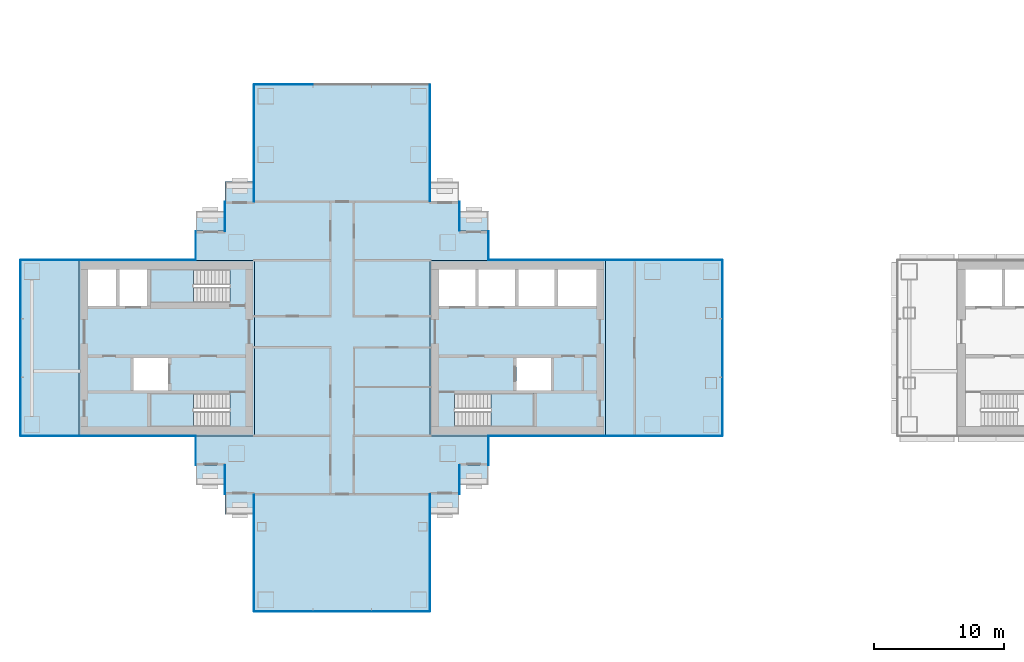
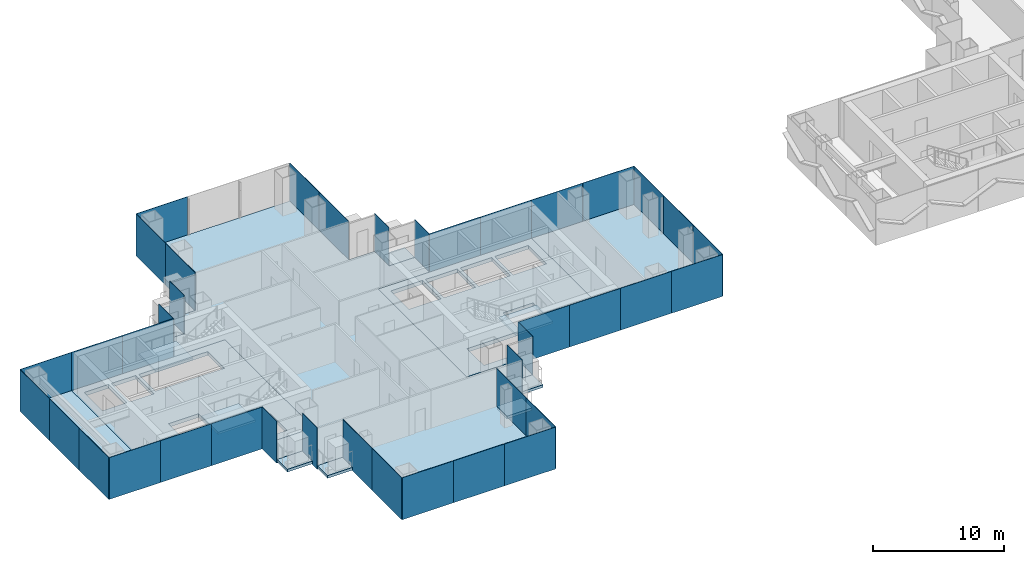
# One storey, part 9 of 20: 40 plates, 15 slabs, 23 elements without a shape of their own.
"""IFC4 building model written with IfcOpenShell, lengths in metres."""

from ifc_helpers import new_model, si_unit, direction, frame, origin, origin_2d, place, context, subcontext, project, spatial, polyline, rectangle, outline, extrude, material, layer, layer_set, type_object, element, aggregate, save


model = new_model("IFC4")

# Units and contexts
model_context = context("Model", 3, precision=1e-05, world=origin(), true_north=direction((0.0, 1.0)))
body_context = subcontext(model_context, "Body", "Model", "MODEL_VIEW")
ifc_project = project(units=[si_unit("LENGTHUNIT", "METRE"), si_unit("AREAUNIT", "SQUARE_METRE"), si_unit("VOLUMEUNIT", "CUBIC_METRE"), si_unit("PLANEANGLEUNIT", "RADIAN"), si_unit("MASSUNIT", "GRAM", prefix="KILO")], contexts=[model_context])

# Site, building, storey
site_placement = place(None, origin())
site = spatial("IfcSite", under=ifc_project, at=site_placement, CompositionType="ELEMENT")
building_placement = place(site_placement, origin())
building = spatial("IfcBuilding", under=site, at=building_placement, Name="Shamsa Quay Exchange Towers", CompositionType="ELEMENT")
storey_placement = place(building_placement, frame((0.0, 0.0, 105.300048828125)))
storey = spatial("IfcBuildingStorey", under=building, at=storey_placement, Name="L24", CompositionType="ELEMENT", Elevation=105.300048828125)

# Slabs
ifc_material_1 = material(Name="Precast concrete C40/50", Category="concrete")
ifc_layer_1 = layer(ifc_material_1, 0.25)
ifc_layer_set_1 = layer_set([ifc_layer_1], Name="BALCONY SLAB 250")
slab_type_1 = type_object("IfcSlabType", Name="BALCONY SLAB 250", PredefinedType="FLOOR", material=ifc_layer_set_1)
slab_1_placement = place(storey_placement, frame((0.0, 0.0, -0.25)))
element("IfcSlab", 1, at=slab_1_placement, inside=storey, type_object=slab_type_1, Name="Balcony T1-PKEN L24", PredefinedType="FLOOR", context=body_context, shape_type="SweptSolid", body=[
    extrude(outline(polyline([(-22.5, 9.0), (-24.7119140625, 9.0), (-24.7119140625, 10.550048828125), (-22.5, 10.550048828125), (-22.5, 9.0)])), origin(), (0.0, 0.0, 1.0), 0.25),
])
slab_2_placement = place(storey_placement, frame((0.0, 0.0, -0.25)))
element("IfcSlab", 2, at=slab_2_placement, inside=storey, type_object=slab_type_1, Name="Balcony T1-PKES L24", PredefinedType="FLOOR", context=body_context, shape_type="SweptSolid", body=[
    extrude(outline(polyline([(-24.7119140625, -9.0), (-22.5, -9.0), (-22.5, -10.550048828125), (-24.7119140625, -10.550048828125), (-24.7119140625, -9.0)])), origin(), (0.0, 0.0, 1.0), 0.25),
])
slab_3_placement = place(storey_placement, frame((0.0, 0.0, -0.25)))
element("IfcSlab", 3, at=slab_3_placement, inside=storey, type_object=slab_type_1, Name="Balcony T1-PKES L24", PredefinedType="FLOOR", context=body_context, shape_type="SweptSolid", body=[
    extrude(outline(polyline([(-26.9619140625, -11.25), (-24.75, -11.25), (-24.75, -12.800048828125), (-26.9619140625, -12.800048828125), (-26.9619140625, -11.25)])), origin(), (0.0, 0.0, 1.0), 0.25),
])
slab_4_placement = place(storey_placement, frame((0.0, 0.0, -0.25)))
element("IfcSlab", 4, at=slab_4_placement, inside=storey, type_object=slab_type_1, Name="Balcony T1-PKWN L24", PredefinedType="FLOOR", context=body_context, shape_type="SweptSolid", body=[
    extrude(outline(polyline([(-40.5380859375, 11.25), (-42.75, 11.25), (-42.75, 12.800048828125), (-40.5380859375, 12.800048828125), (-40.5380859375, 11.25)])), origin(), (0.0, 0.0, 1.0), 0.25),
])
slab_5_placement = place(storey_placement, frame((0.0, 0.0, -0.25)))
element("IfcSlab", 5, at=slab_5_placement, inside=storey, type_object=slab_type_1, Name="Balcony T1-PKWN L24", PredefinedType="FLOOR", context=body_context, shape_type="SweptSolid", body=[
    extrude(outline(polyline([(-42.7880859375, 9.0), (-45.0, 9.0), (-45.0, 10.550048828125), (-42.7880859375, 10.550048828125), (-42.7880859375, 9.0)])), origin(), (0.0, 0.0, 1.0), 0.25),
])
slab_6_placement = place(storey_placement, frame((0.0, 0.0, -0.25)))
element("IfcSlab", 6, at=slab_6_placement, inside=storey, type_object=slab_type_1, Name="Balcony T1-PKWS L24", PredefinedType="FLOOR", context=body_context, shape_type="SweptSolid", body=[
    extrude(outline(polyline([(-45.0, -9.0), (-42.7880859375, -9.0), (-42.7880859375, -10.550048828125), (-45.0, -10.550048828125), (-45.0, -9.0)])), origin(), (0.0, 0.0, 1.0), 0.25),
])
slab_7_placement = place(storey_placement, frame((0.0, 0.0, -0.25)))
element("IfcSlab", 7, at=slab_7_placement, inside=storey, type_object=slab_type_1, Name="Balcony T1-PKWS L24", PredefinedType="FLOOR", context=body_context, shape_type="SweptSolid", body=[
    extrude(outline(polyline([(-42.75, -11.25), (-40.5380859375, -11.25), (-40.5380859375, -12.800048828125), (-42.75, -12.800048828125), (-42.75, -11.25)])), origin(), (0.0, 0.0, 1.0), 0.25),
])
ifc_material_2 = material(Name="Concrete C50/60", Category="concrete")
ifc_layer_2 = layer(ifc_material_2, 0.35009765625)
ifc_layer_set_2 = layer_set([ifc_layer_2], Name="CORE FLOOR 350 C50/60")
slab_type_2 = type_object("IfcSlabType", Name="CORE FLOOR 350 C50/60", PredefinedType="FLOOR", material=ifc_layer_set_2)
slab_8_placement = place(storey_placement, frame((0.0, 0.0, -0.35009765625)))
element("IfcSlab", 8, at=slab_8_placement, inside=storey, type_object=slab_type_2, Name="Core floor T1A", PredefinedType="FLOOR", context=body_context, shape_type="SweptSolid", body=[
    extrude(outline(polyline([(-27.0, -6.75), (-13.5, -6.75), (-13.5, 6.75), (-27.0, 6.75), (-27.0, -6.75)]), holes=[polyline([(-25.099365234375, -6.050048828125), (-25.099365234375, -3.5), (-19.0, -3.5), (-19.0, -6.050048828125), (-25.099365234375, -6.050048828125)]), polyline([(-26.300048828125, 3.25), (-26.300048828125, 6.050048828125), (-23.5, 6.050048828125), (-23.5, 3.25), (-26.300048828125, 3.25)]), polyline([(-23.25, 3.25), (-23.25, 6.050048828125), (-20.449951171875, 6.050048828125), (-20.449951171875, 3.25), (-23.25, 3.25)]), polyline([(-20.199951171875, 3.25), (-20.199951171875, 6.050048828125), (-17.39990234375, 6.050048828125), (-17.39990234375, 3.25), (-20.199951171875, 3.25)]), polyline([(-17.14990234375, 3.25), (-17.14990234375, 6.050048828125), (-14.199951171875, 6.050048828125), (-14.199951171875, 3.25), (-17.14990234375, 3.25)]), polyline([(-20.35009765625, -3.25), (-20.35009765625, -0.75), (-17.699951171875, -0.75), (-17.699951171875, -3.25), (-20.35009765625, -3.25)])]), origin(), (0.0, 0.0, 1.0), 0.35009765625),
])
slab_9_placement = place(storey_placement, frame((0.0, 0.0, -0.35009765625)))
element("IfcSlab", 9, at=slab_9_placement, inside=storey, type_object=slab_type_2, Name="Core floor T1B", PredefinedType="FLOOR", context=body_context, shape_type="SweptSolid", body=[
    extrude(outline(polyline([(-40.5, -6.75), (-40.5, 6.75), (-54.0, 6.75), (-54.0, -6.75), (-40.5, -6.75)]), holes=[polyline([(-42.400634765625, -3.5), (-42.400634765625, -6.050048828125), (-48.5, -6.050048828125), (-48.5, -3.5), (-42.400634765625, -3.5)]), polyline([(-42.400634765625, 6.050048828125), (-42.400634765625, 3.5), (-48.5, 3.5), (-48.5, 6.050048828125), (-42.400634765625, 6.050048828125)]), polyline([(-48.75, 3.25), (-50.89990234375, 3.25), (-50.89990234375, 6.050048828125), (-48.75, 6.050048828125), (-48.75, 3.25)]), polyline([(-51.14990234375, 3.25), (-53.300048828125, 3.25), (-53.300048828125, 6.050048828125), (-51.14990234375, 6.050048828125), (-51.14990234375, 3.25)]), polyline([(-47.14990234375, -3.25), (-49.800048828125, -3.25), (-49.800048828125, -0.75), (-47.14990234375, -0.75), (-47.14990234375, -3.25)])]), origin(), (0.0, 0.0, 1.0), 0.35009765625),
])

# Stair, slab
ifc_material_3 = material(Name="Concrete C40/50", Category="concrete")
stair_type = type_object("IfcStairType", Name="EXIT STAIR 22 RISERS 177 MM", PredefinedType="HALF_TURN_STAIR", material=ifc_material_3)
stair_1_placement = place(storey_placement, origin())
stair_1 = element("IfcStair", 10, at=stair_1_placement, inside=storey, type_object=stair_type, Name="L24 Exit stair ST1", PredefinedType="HALF_TURN_STAIR")
ifc_layer_3 = layer(ifc_material_3, 0.199951171875)
ifc_layer_set_3 = layer_set([ifc_layer_3], Name="CORE STAIR LANDING")
slab_type_3 = type_object("IfcSlabType", Name="CORE STAIR LANDING", PredefinedType="LANDING", material=ifc_layer_set_3)
slab_10_placement = place(storey_placement, frame((0.0, 0.0, 1.75)))
slab_10 = element("IfcSlab", 11, at=slab_10_placement, type_object=slab_type_3, Name="ST1 landing 1", PredefinedType="LANDING", context=body_context, shape_type="SweptSolid", body=[
    extrude(outline(polyline([(-22.300048828125, -6.050048828125), (-19.0, -6.050048828125), (-19.0, -3.5), (-22.300048828125, -3.5), (-22.300048828125, -6.050048828125)])), origin(), (0.0, 0.0, 1.0), 0.199951171875),
])
aggregate(stair_1, [slab_10])

stair_2_placement = place(storey_placement, origin())
stair_2 = element("IfcStair", 12, at=stair_2_placement, inside=storey, type_object=stair_type, Name="L24 Exit stair ST2", PredefinedType="HALF_TURN_STAIR")
slab_11_placement = place(storey_placement, frame((0.0, 0.0, 1.75)))
slab_11 = element("IfcSlab", 13, at=slab_11_placement, type_object=slab_type_3, Name="ST2 landing 1", PredefinedType="LANDING", context=body_context, shape_type="SweptSolid", body=[
    extrude(outline(polyline([(-45.199951171875, -3.5), (-48.5, -3.5), (-48.5, -6.050048828125), (-45.199951171875, -6.050048828125), (-45.199951171875, -3.5)])), origin(), (0.0, 0.0, 1.0), 0.199951171875),
])
aggregate(stair_2, [slab_11])

stair_3_placement = place(storey_placement, origin())
stair_3 = element("IfcStair", 14, at=stair_3_placement, inside=storey, type_object=stair_type, Name="L24 Exit stair ST3", PredefinedType="HALF_TURN_STAIR")
slab_12_placement = place(storey_placement, frame((0.0, 0.0, 1.75)))
slab_12 = element("IfcSlab", 15, at=slab_12_placement, type_object=slab_type_3, Name="ST3 landing 1", PredefinedType="LANDING", context=body_context, shape_type="SweptSolid", body=[
    extrude(outline(polyline([(-45.199951171875, 6.050048828125), (-48.5, 6.050048828125), (-48.5, 3.5), (-45.199951171875, 3.5), (-45.199951171875, 6.050048828125)])), origin(), (0.0, 0.0, 1.0), 0.199951171875),
])
aggregate(stair_3, [slab_12])

# Curtain wall, plates
ifc_material_4 = material(Name="Aluminium EN AW-6063 T6, black anodised", Category="aluminium")
ifc_layer_4 = layer(ifc_material_4, 0.280029296875)
ifc_layer_set_4 = layer_set([ifc_layer_4], Name="CW-1 UNITISED VISION GLASS")
curtain_wall_type_1 = type_object("IfcCurtainWallType", Name="CW-1 UNITISED VISION GLASS", PredefinedType="NOTDEFINED", material=ifc_layer_set_4)
curtain_wall_1_placement = place(storey_placement, origin())
curtain_wall_1 = element("IfcCurtainWall", 16, at=curtain_wall_1_placement, inside=storey, type_object=curtain_wall_type_1, Name="CW1 T1-FLK-V-W L24", PredefinedType="NOTDEFINED")
ifc_material_5 = material(Name="Glass, laminated, dark tinted", Category="glass")
ifc_layer_5 = layer(ifc_material_5, 0.0400390625)
ifc_layer_set_5 = layer_set([ifc_layer_5], Name="CW-1 VISION GLASS 40")
plate_type_1 = type_object("IfcPlateType", Name="CW-1 VISION GLASS 40", PredefinedType="CURTAIN_PANEL", material=ifc_layer_set_5)
plate_1_placement = place(storey_placement, frame((-40.52001953125, -13.52587890625, -0.35009765625), z_axis=(0.0, 0.0, 1.0), x_axis=(0.0, -1.0, 0.0)))
plate_1 = element("IfcPlate", 17, at=plate_1_placement, type_object=plate_type_1, Name="CW1 glass panel", PredefinedType="CURTAIN_PANEL", context=body_context, shape_type="SweptSolid", body=[
    extrude(rectangle(XDim=4.47607421875, YDim=0.0400390625, at=origin_2d()), origin(), (0.0, 0.0, 1.0), 3.89990234375),
])
plate_2_placement = place(storey_placement, frame((-40.52001953125, -18.011962890625, -0.35009765625), z_axis=(0.0, 0.0, 1.0), x_axis=(0.0, -1.0, 0.0)))
plate_2 = element("IfcPlate", 18, at=plate_2_placement, type_object=plate_type_1, Name="CW1 glass panel", PredefinedType="CURTAIN_PANEL", context=body_context, shape_type="SweptSolid", body=[
    extrude(rectangle(XDim=4.47607421875, YDim=0.0400390625, at=origin_2d()), origin(), (0.0, 0.0, 1.0), 3.89990234375),
])
aggregate(curtain_wall_1, [plate_1, plate_2])

curtain_wall_2_placement = place(storey_placement, origin())
curtain_wall_2 = element("IfcCurtainWall", 19, at=curtain_wall_2_placement, inside=storey, type_object=curtain_wall_type_1, Name="CW1 T1-END-V- L24", PredefinedType="NOTDEFINED")
plate_3_placement = place(storey_placement, frame((-38.25244140625, -20.27001953125, -0.35009765625)))
plate_3 = element("IfcPlate", 20, at=plate_3_placement, type_object=plate_type_1, Name="CW1 glass panel", PredefinedType="CURTAIN_PANEL", context=body_context, shape_type="SweptSolid", body=[
    extrude(rectangle(XDim=4.4951171875, YDim=0.0400390625, at=origin_2d()), origin(), (0.0, 0.0, 1.0), 3.89990234375),
])
plate_4_placement = place(storey_placement, frame((-33.75, -20.27001953125, -0.35009765625)))
plate_4 = element("IfcPlate", 21, at=plate_4_placement, type_object=plate_type_1, Name="CW1 glass panel", PredefinedType="CURTAIN_PANEL", context=body_context, shape_type="SweptSolid", body=[
    extrude(rectangle(XDim=4.489990234375, YDim=0.0400390625, at=origin_2d()), origin(), (0.0, 0.0, 1.0), 3.89990234375),
])
plate_5_placement = place(storey_placement, frame((-29.24755859375, -20.27001953125, -0.35009765625)))
plate_5 = element("IfcPlate", 22, at=plate_5_placement, type_object=plate_type_1, Name="CW1 glass panel", PredefinedType="CURTAIN_PANEL", context=body_context, shape_type="SweptSolid", body=[
    extrude(rectangle(XDim=4.4951171875, YDim=0.0400390625, at=origin_2d()), origin(), (0.0, 0.0, 1.0), 3.89990234375),
])
aggregate(curtain_wall_2, [plate_3, plate_4, plate_5])

curtain_wall_3_placement = place(storey_placement, origin())
curtain_wall_3 = element("IfcCurtainWall", 23, at=curtain_wall_3_placement, inside=storey, type_object=curtain_wall_type_1, Name="CW1 T1-FLK-V-E L24", PredefinedType="NOTDEFINED")
plate_6_placement = place(storey_placement, frame((-26.97998046875, -18.00244140625, -0.35009765625), z_axis=(0.0, 0.0, 1.0), x_axis=(0.0, 1.0, 0.0)))
plate_6 = element("IfcPlate", 24, at=plate_6_placement, type_object=plate_type_1, Name="CW1 glass panel", PredefinedType="CURTAIN_PANEL", context=body_context, shape_type="SweptSolid", body=[
    extrude(rectangle(XDim=4.4951171875, YDim=0.0400390625, at=origin_2d()), origin(), (0.0, 0.0, 1.0), 3.89990234375),
])
plate_7_placement = place(storey_placement, frame((-26.97998046875, -13.49755859375, -0.35009765625), z_axis=(0.0, 0.0, 1.0), x_axis=(0.0, 1.0, 0.0)))
plate_7 = element("IfcPlate", 25, at=plate_7_placement, type_object=plate_type_1, Name="CW1 glass panel", PredefinedType="CURTAIN_PANEL", context=body_context, shape_type="SweptSolid", body=[
    extrude(rectangle(XDim=4.4951171875, YDim=0.0400390625, at=origin_2d()), origin(), (0.0, 0.0, 1.0), 3.89990234375),
])
aggregate(curtain_wall_3, [plate_6, plate_7])

curtain_wall_4_placement = place(storey_placement, origin())
curtain_wall_4 = element("IfcCurtainWall", 26, at=curtain_wall_4_placement, inside=storey, type_object=curtain_wall_type_1, Name="CW1 T1-FLK-U+S L24", PredefinedType="NOTDEFINED")
plate_8_placement = place(storey_placement, frame((-11.25244140625, -6.77001953125, -0.35009765625)))
plate_8 = element("IfcPlate", 27, at=plate_8_placement, type_object=plate_type_1, Name="CW1 glass panel", PredefinedType="CURTAIN_PANEL", context=body_context, shape_type="SweptSolid", body=[
    extrude(rectangle(XDim=4.4951171875, YDim=0.0400390625, at=origin_2d()), origin(), (0.0, 0.0, 1.0), 3.89990234375),
])
plate_9_placement = place(storey_placement, frame((-6.74755859375, -6.77001953125, -0.35009765625)))
plate_9 = element("IfcPlate", 28, at=plate_9_placement, type_object=plate_type_1, Name="CW1 glass panel", PredefinedType="CURTAIN_PANEL", context=body_context, shape_type="SweptSolid", body=[
    extrude(rectangle(XDim=4.4951171875, YDim=0.0400390625, at=origin_2d()), origin(), (0.0, 0.0, 1.0), 3.89990234375),
])
aggregate(curtain_wall_4, [plate_8, plate_9])

curtain_wall_5_placement = place(storey_placement, origin())
curtain_wall_5 = element("IfcCurtainWall", 29, at=curtain_wall_5_placement, inside=storey, type_object=curtain_wall_type_1, Name="CW1 T1-END-U+ L24", PredefinedType="NOTDEFINED")
plate_10_placement = place(storey_placement, frame((-4.47998046875, -4.50244140625, -0.35009765625), z_axis=(0.0, 0.0, 1.0), x_axis=(0.0, 1.0, 0.0)))
plate_10 = element("IfcPlate", 30, at=plate_10_placement, type_object=plate_type_1, Name="CW1 glass panel", PredefinedType="CURTAIN_PANEL", context=body_context, shape_type="SweptSolid", body=[
    extrude(rectangle(XDim=4.4951171875, YDim=0.0400390625, at=origin_2d()), origin(), (0.0, 0.0, 1.0), 3.89990234375),
])
plate_11_placement = place(storey_placement, frame((-4.47998046875, 0.0, -0.35009765625), z_axis=(0.0, 0.0, 1.0), x_axis=(0.0, 1.0, 0.0)))
plate_11 = element("IfcPlate", 31, at=plate_11_placement, type_object=plate_type_1, Name="CW1 glass panel", PredefinedType="CURTAIN_PANEL", context=body_context, shape_type="SweptSolid", body=[
    extrude(rectangle(XDim=4.489990234375, YDim=0.0400390625, at=origin_2d()), origin(), (0.0, 0.0, 1.0), 3.89990234375),
])
plate_12_placement = place(storey_placement, frame((-4.47998046875, 4.50244140625, -0.35009765625), z_axis=(0.0, 0.0, 1.0), x_axis=(0.0, 1.0, 0.0)))
plate_12 = element("IfcPlate", 32, at=plate_12_placement, type_object=plate_type_1, Name="CW1 glass panel", PredefinedType="CURTAIN_PANEL", context=body_context, shape_type="SweptSolid", body=[
    extrude(rectangle(XDim=4.4951171875, YDim=0.0400390625, at=origin_2d()), origin(), (0.0, 0.0, 1.0), 3.89990234375),
])
aggregate(curtain_wall_5, [plate_10, plate_11, plate_12])

curtain_wall_6_placement = place(storey_placement, origin())
curtain_wall_6 = element("IfcCurtainWall", 33, at=curtain_wall_6_placement, inside=storey, type_object=curtain_wall_type_1, Name="CW1 T1-FLK-U+N L24", PredefinedType="NOTDEFINED")
plate_13_placement = place(storey_placement, frame((-6.74755859375, 6.77001953125, -0.35009765625), z_axis=(0.0, 0.0, 1.0), x_axis=(-1.0, 0.0, 0.0)))
plate_13 = element("IfcPlate", 34, at=plate_13_placement, type_object=plate_type_1, Name="CW1 glass panel", PredefinedType="CURTAIN_PANEL", context=body_context, shape_type="SweptSolid", body=[
    extrude(rectangle(XDim=4.4951171875, YDim=0.0400390625, at=origin_2d()), origin(), (0.0, 0.0, 1.0), 3.89990234375),
])
plate_14_placement = place(storey_placement, frame((-11.25244140625, 6.77001953125, -0.35009765625), z_axis=(0.0, 0.0, 1.0), x_axis=(-1.0, 0.0, 0.0)))
plate_14 = element("IfcPlate", 35, at=plate_14_placement, type_object=plate_type_1, Name="CW1 glass panel", PredefinedType="CURTAIN_PANEL", context=body_context, shape_type="SweptSolid", body=[
    extrude(rectangle(XDim=4.4951171875, YDim=0.0400390625, at=origin_2d()), origin(), (0.0, 0.0, 1.0), 3.89990234375),
])
aggregate(curtain_wall_6, [plate_13, plate_14])

curtain_wall_7_placement = place(storey_placement, origin())
curtain_wall_7 = element("IfcCurtainWall", 36, at=curtain_wall_7_placement, inside=storey, type_object=curtain_wall_type_1, Name="CW1 T1-FLK-V+E L24", PredefinedType="NOTDEFINED")
plate_15_placement = place(storey_placement, frame((-26.97998046875, 13.52587890625, -0.35009765625), z_axis=(0.0, 0.0, 1.0), x_axis=(0.0, 1.0, 0.0)))
plate_15 = element("IfcPlate", 37, at=plate_15_placement, type_object=plate_type_1, Name="CW1 glass panel", PredefinedType="CURTAIN_PANEL", context=body_context, shape_type="SweptSolid", body=[
    extrude(rectangle(XDim=4.47607421875, YDim=0.0400390625, at=origin_2d()), origin(), (0.0, 0.0, 1.0), 3.89990234375),
])
plate_16_placement = place(storey_placement, frame((-26.97998046875, 18.011962890625, -0.35009765625), z_axis=(0.0, 0.0, 1.0), x_axis=(0.0, 1.0, 0.0)))
plate_16 = element("IfcPlate", 38, at=plate_16_placement, type_object=plate_type_1, Name="CW1 glass panel", PredefinedType="CURTAIN_PANEL", context=body_context, shape_type="SweptSolid", body=[
    extrude(rectangle(XDim=4.47607421875, YDim=0.0400390625, at=origin_2d()), origin(), (0.0, 0.0, 1.0), 3.89990234375),
])
aggregate(curtain_wall_7, [plate_15, plate_16])

# Curtain wall, plate
curtain_wall_8_placement = place(storey_placement, origin())
curtain_wall_8 = element("IfcCurtainWall", 39, at=curtain_wall_8_placement, inside=storey, type_object=curtain_wall_type_1, Name="CW1 T1-END-V+ L24", PredefinedType="NOTDEFINED")
plate_17_placement = place(storey_placement, frame((-38.25244140625, 20.27001953125, -0.35009765625), z_axis=(0.0, 0.0, 1.0), x_axis=(-1.0, 0.0, 0.0)))
plate_17 = element("IfcPlate", 40, at=plate_17_placement, type_object=plate_type_1, Name="CW1 glass panel", PredefinedType="CURTAIN_PANEL", context=body_context, shape_type="SweptSolid", body=[
    extrude(rectangle(XDim=4.4951171875, YDim=0.0400390625, at=origin_2d()), origin(), (0.0, 0.0, 1.0), 3.89990234375),
])
aggregate(curtain_wall_8, [plate_17])

# Curtain wall, plates
curtain_wall_9_placement = place(storey_placement, origin())
curtain_wall_9 = element("IfcCurtainWall", 41, at=curtain_wall_9_placement, inside=storey, type_object=curtain_wall_type_1, Name="CW1 T1-FLK-V+W L24", PredefinedType="NOTDEFINED")
plate_18_placement = place(storey_placement, frame((-40.52001953125, 18.00244140625, -0.35009765625), z_axis=(0.0, 0.0, 1.0), x_axis=(0.0, -1.0, 0.0)))
plate_18 = element("IfcPlate", 42, at=plate_18_placement, type_object=plate_type_1, Name="CW1 glass panel", PredefinedType="CURTAIN_PANEL", context=body_context, shape_type="SweptSolid", body=[
    extrude(rectangle(XDim=4.4951171875, YDim=0.0400390625, at=origin_2d()), origin(), (0.0, 0.0, 1.0), 3.89990234375),
])
plate_19_placement = place(storey_placement, frame((-40.52001953125, 13.49755859375, -0.35009765625), z_axis=(0.0, 0.0, 1.0), x_axis=(0.0, -1.0, 0.0)))
plate_19 = element("IfcPlate", 43, at=plate_19_placement, type_object=plate_type_1, Name="CW1 glass panel", PredefinedType="CURTAIN_PANEL", context=body_context, shape_type="SweptSolid", body=[
    extrude(rectangle(XDim=4.4951171875, YDim=0.0400390625, at=origin_2d()), origin(), (0.0, 0.0, 1.0), 3.89990234375),
])
aggregate(curtain_wall_9, [plate_18, plate_19])

# Curtain wall, plate
curtain_wall_10_placement = place(storey_placement, origin())
curtain_wall_10 = element("IfcCurtainWall", 44, at=curtain_wall_10_placement, inside=storey, type_object=curtain_wall_type_1, Name="CW1 T1-FLK-U-N L24", PredefinedType="NOTDEFINED")
plate_20_placement = place(storey_placement, frame((-56.25, 6.77001953125, -0.35009765625), z_axis=(0.0, 0.0, 1.0), x_axis=(-1.0, 0.0, 0.0)))
plate_20 = element("IfcPlate", 45, at=plate_20_placement, type_object=plate_type_1, Name="CW1 glass panel", PredefinedType="CURTAIN_PANEL", context=body_context, shape_type="SweptSolid", body=[
    extrude(rectangle(XDim=4.5, YDim=0.0400390625, at=origin_2d()), origin(), (0.0, 0.0, 1.0), 3.89990234375),
])
aggregate(curtain_wall_10, [plate_20])

# Curtain wall, plates
curtain_wall_11_placement = place(storey_placement, origin())
curtain_wall_11 = element("IfcCurtainWall", 46, at=curtain_wall_11_placement, inside=storey, type_object=curtain_wall_type_1, Name="CW1 T1-END-U- L24", PredefinedType="NOTDEFINED")
plate_21_placement = place(storey_placement, frame((-58.52001953125, 4.50244140625, -0.35009765625), z_axis=(0.0, 0.0, 1.0), x_axis=(0.0, -1.0, 0.0)))
plate_21 = element("IfcPlate", 47, at=plate_21_placement, type_object=plate_type_1, Name="CW1 glass panel", PredefinedType="CURTAIN_PANEL", context=body_context, shape_type="SweptSolid", body=[
    extrude(rectangle(XDim=4.4951171875, YDim=0.0400390625, at=origin_2d()), origin(), (0.0, 0.0, 1.0), 3.89990234375),
])
plate_22_placement = place(storey_placement, frame((-58.52001953125, 0.0, -0.35009765625), z_axis=(0.0, 0.0, 1.0), x_axis=(0.0, -1.0, 0.0)))
plate_22 = element("IfcPlate", 48, at=plate_22_placement, type_object=plate_type_1, Name="CW1 glass panel", PredefinedType="CURTAIN_PANEL", context=body_context, shape_type="SweptSolid", body=[
    extrude(rectangle(XDim=4.489990234375, YDim=0.0400390625, at=origin_2d()), origin(), (0.0, 0.0, 1.0), 3.89990234375),
])
plate_23_placement = place(storey_placement, frame((-58.52001953125, -4.50244140625, -0.35009765625), z_axis=(0.0, 0.0, 1.0), x_axis=(0.0, -1.0, 0.0)))
plate_23 = element("IfcPlate", 49, at=plate_23_placement, type_object=plate_type_1, Name="CW1 glass panel", PredefinedType="CURTAIN_PANEL", context=body_context, shape_type="SweptSolid", body=[
    extrude(rectangle(XDim=4.4951171875, YDim=0.0400390625, at=origin_2d()), origin(), (0.0, 0.0, 1.0), 3.89990234375),
])
aggregate(curtain_wall_11, [plate_21, plate_22, plate_23])

# Curtain wall, plate
curtain_wall_12_placement = place(storey_placement, origin())
curtain_wall_12 = element("IfcCurtainWall", 50, at=curtain_wall_12_placement, inside=storey, type_object=curtain_wall_type_1, Name="CW1 T1-FLK-U-S L24", PredefinedType="NOTDEFINED")
plate_24_placement = place(storey_placement, frame((-56.25, -6.77001953125, -0.35009765625)))
plate_24 = element("IfcPlate", 51, at=plate_24_placement, type_object=plate_type_1, Name="CW1 glass panel", PredefinedType="CURTAIN_PANEL", context=body_context, shape_type="SweptSolid", body=[
    extrude(rectangle(XDim=4.5, YDim=0.0400390625, at=origin_2d()), origin(), (0.0, 0.0, 1.0), 3.89990234375),
])
aggregate(curtain_wall_12, [plate_24])

# Curtain wall, plates
ifc_layer_6 = layer(ifc_material_4, 0.303955078125)
ifc_layer_set_6 = layer_set([ifc_layer_6], Name="CW-2 UNITISED OPAQUE SPANDREL GLASS")
curtain_wall_type_2 = type_object("IfcCurtainWallType", Name="CW-2 UNITISED OPAQUE SPANDREL GLASS", PredefinedType="NOTDEFINED", material=ifc_layer_set_6)
curtain_wall_13_placement = place(storey_placement, origin())
curtain_wall_13 = element("IfcCurtainWall", 52, at=curtain_wall_13_placement, inside=storey, type_object=curtain_wall_type_2, Name="CW2 T1-FLK-U+S L24", PredefinedType="NOTDEFINED")
ifc_material_6 = material(Name="Glass, laminated, black enamelled opaque", Category="glass")
ifc_layer_7 = layer(ifc_material_6, 0.0439453125)
ifc_layer_set_7 = layer_set([ifc_layer_7], Name="CW-2 SPANDREL GLASS 44")
plate_type_2 = type_object("IfcPlateType", Name="CW-2 SPANDREL GLASS 44", PredefinedType="CURTAIN_PANEL", material=ifc_layer_set_7)
plate_25_placement = place(storey_placement, frame((-20.22412109375, -6.77197265625, -0.35009765625)))
plate_25 = element("IfcPlate", 53, at=plate_25_placement, type_object=plate_type_2, Name="CW2 glass panel", PredefinedType="CURTAIN_PANEL", context=body_context, shape_type="SweptSolid", body=[
    extrude(rectangle(XDim=4.47607421875, YDim=0.0439453125, at=origin_2d()), origin(), (0.0, 0.0, 1.0), 3.89990234375),
])
plate_26_placement = place(storey_placement, frame((-15.738037109375, -6.77197265625, -0.35009765625)))
plate_26 = element("IfcPlate", 54, at=plate_26_placement, type_object=plate_type_2, Name="CW2 glass panel", PredefinedType="CURTAIN_PANEL", context=body_context, shape_type="SweptSolid", body=[
    extrude(rectangle(XDim=4.47607421875, YDim=0.0439453125, at=origin_2d()), origin(), (0.0, 0.0, 1.0), 3.89990234375),
])
aggregate(curtain_wall_13, [plate_25, plate_26])

curtain_wall_14_placement = place(storey_placement, origin())
curtain_wall_14 = element("IfcCurtainWall", 55, at=curtain_wall_14_placement, inside=storey, type_object=curtain_wall_type_2, Name="CW2 T1-FLK-U+N L24", PredefinedType="NOTDEFINED")
plate_27_placement = place(storey_placement, frame((-15.74755859375, 6.77197265625, -0.35009765625), z_axis=(0.0, 0.0, 1.0), x_axis=(-1.0, 0.0, 0.0)))
plate_27 = element("IfcPlate", 56, at=plate_27_placement, type_object=plate_type_2, Name="CW2 glass panel", PredefinedType="CURTAIN_PANEL", context=body_context, shape_type="SweptSolid", body=[
    extrude(rectangle(XDim=4.4951171875, YDim=0.0439453125, at=origin_2d()), origin(), (0.0, 0.0, 1.0), 3.89990234375),
])
plate_28_placement = place(storey_placement, frame((-20.25244140625, 6.77197265625, -0.35009765625), z_axis=(0.0, 0.0, 1.0), x_axis=(-1.0, 0.0, 0.0)))
plate_28 = element("IfcPlate", 57, at=plate_28_placement, type_object=plate_type_2, Name="CW2 glass panel", PredefinedType="CURTAIN_PANEL", context=body_context, shape_type="SweptSolid", body=[
    extrude(rectangle(XDim=4.4951171875, YDim=0.0439453125, at=origin_2d()), origin(), (0.0, 0.0, 1.0), 3.89990234375),
])
aggregate(curtain_wall_14, [plate_27, plate_28])

curtain_wall_15_placement = place(storey_placement, origin())
curtain_wall_15 = element("IfcCurtainWall", 58, at=curtain_wall_15_placement, inside=storey, type_object=curtain_wall_type_2, Name="CW2 T1-FLK-U-N L24", PredefinedType="NOTDEFINED")
plate_29_placement = place(storey_placement, frame((-47.27587890625, 6.77197265625, -0.35009765625), z_axis=(0.0, 0.0, 1.0), x_axis=(-1.0, 0.0, 0.0)))
plate_29 = element("IfcPlate", 59, at=plate_29_placement, type_object=plate_type_2, Name="CW2 glass panel", PredefinedType="CURTAIN_PANEL", context=body_context, shape_type="SweptSolid", body=[
    extrude(rectangle(XDim=4.47607421875, YDim=0.0439453125, at=origin_2d()), origin(), (0.0, 0.0, 1.0), 3.89990234375),
])
plate_30_placement = place(storey_placement, frame((-51.761962890625, 6.77197265625, -0.35009765625), z_axis=(0.0, 0.0, 1.0), x_axis=(-1.0, 0.0, 0.0)))
plate_30 = element("IfcPlate", 60, at=plate_30_placement, type_object=plate_type_2, Name="CW2 glass panel", PredefinedType="CURTAIN_PANEL", context=body_context, shape_type="SweptSolid", body=[
    extrude(rectangle(XDim=4.47607421875, YDim=0.0439453125, at=origin_2d()), origin(), (0.0, 0.0, 1.0), 3.89990234375),
])
aggregate(curtain_wall_15, [plate_29, plate_30])

curtain_wall_16_placement = place(storey_placement, origin())
curtain_wall_16 = element("IfcCurtainWall", 61, at=curtain_wall_16_placement, inside=storey, type_object=curtain_wall_type_2, Name="CW2 T1-FLK-U-S L24", PredefinedType="NOTDEFINED")
plate_31_placement = place(storey_placement, frame((-51.75244140625, -6.77197265625, -0.35009765625)))
plate_31 = element("IfcPlate", 62, at=plate_31_placement, type_object=plate_type_2, Name="CW2 glass panel", PredefinedType="CURTAIN_PANEL", context=body_context, shape_type="SweptSolid", body=[
    extrude(rectangle(XDim=4.4951171875, YDim=0.0439453125, at=origin_2d()), origin(), (0.0, 0.0, 1.0), 3.89990234375),
])
plate_32_placement = place(storey_placement, frame((-47.24755859375, -6.77197265625, -0.35009765625)))
plate_32 = element("IfcPlate", 63, at=plate_32_placement, type_object=plate_type_2, Name="CW2 glass panel", PredefinedType="CURTAIN_PANEL", context=body_context, shape_type="SweptSolid", body=[
    extrude(rectangle(XDim=4.4951171875, YDim=0.0439453125, at=origin_2d()), origin(), (0.0, 0.0, 1.0), 3.89990234375),
])
aggregate(curtain_wall_16, [plate_31, plate_32])

ifc_layer_8 = layer(ifc_material_4, 0.256103515625)
ifc_layer_set_8 = layer_set([ifc_layer_8], Name="CW-4 POCKET SERRATED GLAZING")
curtain_wall_type_3 = type_object("IfcCurtainWallType", Name="CW-4 POCKET SERRATED GLAZING", PredefinedType="NOTDEFINED", material=ifc_layer_set_8)
curtain_wall_17_placement = place(storey_placement, origin())
curtain_wall_17 = element("IfcCurtainWall", 64, at=curtain_wall_17_placement, inside=storey, type_object=curtain_wall_type_3, Name="CW4 PKWS L24", PredefinedType="NOTDEFINED")
ifc_layer_9 = layer(ifc_material_5, 0.035888671875)
ifc_layer_set_9 = layer_set([ifc_layer_9], Name="CW-4 POCKET GLASS 36")
plate_type_3 = type_object("IfcPlateType", Name="CW-4 POCKET GLASS 36", PredefinedType="CURTAIN_PANEL", material=ifc_layer_set_9)
plate_33_placement = place(storey_placement, frame((-42.76806640625, -10.14404296875, -0.35009765625), z_axis=(0.0, 0.0, 1.0), x_axis=(0.0, -1.0, 0.0)))
plate_33 = element("IfcPlate", 65, at=plate_33_placement, type_object=plate_type_3, Name="CW4 glass panel", PredefinedType="CURTAIN_PANEL", context=body_context, shape_type="SweptSolid", body=[
    extrude(rectangle(XDim=2.2119140625, YDim=0.035888671875, at=origin_2d()), origin(), (0.0, 0.0, 1.0), 3.89990234375),
])
plate_34_placement = place(storey_placement, frame((-45.01806640625, -7.89794921875, -0.35009765625), z_axis=(0.0, 0.0, 1.0), x_axis=(0.0, -1.0, 0.0)))
plate_34 = element("IfcPlate", 66, at=plate_34_placement, type_object=plate_type_3, Name="CW4 glass panel", PredefinedType="CURTAIN_PANEL", context=body_context, shape_type="SweptSolid", body=[
    extrude(rectangle(XDim=2.2041015625, YDim=0.035888671875, at=origin_2d()), origin(), (0.0, 0.0, 1.0), 3.89990234375),
])
aggregate(curtain_wall_17, [plate_33, plate_34])

curtain_wall_18_placement = place(storey_placement, origin())
curtain_wall_18 = element("IfcCurtainWall", 67, at=curtain_wall_18_placement, inside=storey, type_object=curtain_wall_type_3, Name="CW4 PKES L24", PredefinedType="NOTDEFINED")
plate_35_placement = place(storey_placement, frame((-24.73193359375, -10.125, -0.35009765625), z_axis=(0.0, 0.0, 1.0), x_axis=(0.0, 1.0, 0.0)))
plate_35 = element("IfcPlate", 68, at=plate_35_placement, type_object=plate_type_3, Name="CW4 glass panel", PredefinedType="CURTAIN_PANEL", context=body_context, shape_type="SweptSolid", body=[
    extrude(rectangle(XDim=2.25, YDim=0.035888671875, at=origin_2d()), origin(), (0.0, 0.0, 1.0), 3.89990234375),
])
plate_36_placement = place(storey_placement, frame((-22.48193359375, -7.875, -0.35009765625), z_axis=(0.0, 0.0, 1.0), x_axis=(0.0, 1.0, 0.0)))
plate_36 = element("IfcPlate", 69, at=plate_36_placement, type_object=plate_type_3, Name="CW4 glass panel", PredefinedType="CURTAIN_PANEL", context=body_context, shape_type="SweptSolid", body=[
    extrude(rectangle(XDim=2.25, YDim=0.035888671875, at=origin_2d()), origin(), (0.0, 0.0, 1.0), 3.89990234375),
])
aggregate(curtain_wall_18, [plate_35, plate_36])

curtain_wall_19_placement = place(storey_placement, origin())
curtain_wall_19 = element("IfcCurtainWall", 70, at=curtain_wall_19_placement, inside=storey, type_object=curtain_wall_type_3, Name="CW4 PKEN L24", PredefinedType="NOTDEFINED")
plate_37_placement = place(storey_placement, frame((-22.48193359375, 7.89794921875, -0.35009765625), z_axis=(0.0, 0.0, 1.0), x_axis=(0.0, 1.0, 0.0)))
plate_37 = element("IfcPlate", 71, at=plate_37_placement, type_object=plate_type_3, Name="CW4 glass panel", PredefinedType="CURTAIN_PANEL", context=body_context, shape_type="SweptSolid", body=[
    extrude(rectangle(XDim=2.2041015625, YDim=0.035888671875, at=origin_2d()), origin(), (0.0, 0.0, 1.0), 3.89990234375),
])
plate_38_placement = place(storey_placement, frame((-24.73193359375, 10.14404296875, -0.35009765625), z_axis=(0.0, 0.0, 1.0), x_axis=(0.0, 1.0, 0.0)))
plate_38 = element("IfcPlate", 72, at=plate_38_placement, type_object=plate_type_3, Name="CW4 glass panel", PredefinedType="CURTAIN_PANEL", context=body_context, shape_type="SweptSolid", body=[
    extrude(rectangle(XDim=2.2119140625, YDim=0.035888671875, at=origin_2d()), origin(), (0.0, 0.0, 1.0), 3.89990234375),
])
aggregate(curtain_wall_19, [plate_37, plate_38])

curtain_wall_20_placement = place(storey_placement, origin())
curtain_wall_20 = element("IfcCurtainWall", 73, at=curtain_wall_20_placement, inside=storey, type_object=curtain_wall_type_3, Name="CW4 PKWN L24", PredefinedType="NOTDEFINED")
plate_39_placement = place(storey_placement, frame((-42.76806640625, 10.125, -0.35009765625), z_axis=(0.0, 0.0, 1.0), x_axis=(0.0, -1.0, 0.0)))
plate_39 = element("IfcPlate", 74, at=plate_39_placement, type_object=plate_type_3, Name="CW4 glass panel", PredefinedType="CURTAIN_PANEL", context=body_context, shape_type="SweptSolid", body=[
    extrude(rectangle(XDim=2.25, YDim=0.035888671875, at=origin_2d()), origin(), (0.0, 0.0, 1.0), 3.89990234375),
])
plate_40_placement = place(storey_placement, frame((-45.01806640625, 7.875, -0.35009765625), z_axis=(0.0, 0.0, 1.0), x_axis=(0.0, -1.0, 0.0)))
plate_40 = element("IfcPlate", 75, at=plate_40_placement, type_object=plate_type_3, Name="CW4 glass panel", PredefinedType="CURTAIN_PANEL", context=body_context, shape_type="SweptSolid", body=[
    extrude(rectangle(XDim=2.25, YDim=0.035888671875, at=origin_2d()), origin(), (0.0, 0.0, 1.0), 3.89990234375),
])
aggregate(curtain_wall_20, [plate_39, plate_40])

# Slabs
ifc_layer_10 = layer(ifc_material_3, 0.35009765625)
ifc_layer_set_10 = layer_set([ifc_layer_10], Name="Flat slab 350")
slab_type_4 = type_object("IfcSlabType", Name="Flat slab 350", PredefinedType="FLOOR", material=ifc_layer_set_10)
slab_13_placement = place(storey_placement, frame((0.0, 0.0, -0.35009765625)))
element("IfcSlab", 76, at=slab_13_placement, inside=storey, type_object=slab_type_4, Name="Flat slab T1 L24 1", PredefinedType="FLOOR", context=body_context, shape_type="SweptSolid", body=[
    extrude(outline(polyline([(-58.5, -6.75), (-54.0, -6.75), (-54.0, 6.75), (-58.5, 6.75), (-58.5, -6.75)])), origin(), (0.0, 0.0, 1.0), 0.35009765625),
])
slab_14_placement = place(storey_placement, frame((0.0, 0.0, -0.35009765625)))
element("IfcSlab", 77, at=slab_14_placement, inside=storey, type_object=slab_type_4, Name="Flat slab T1 L24 2", PredefinedType="FLOOR", context=body_context, shape_type="SweptSolid", body=[
    extrude(outline(polyline([(-22.5, -9.0), (-22.5, -6.75), (-27.0, -6.75), (-27.0, 6.75), (-22.5, 6.75), (-22.5, 9.0), (-24.75, 9.0), (-24.75, 11.25), (-27.0, 11.25), (-27.0, 20.25), (-40.5, 20.25), (-40.5, 11.25), (-42.75, 11.25), (-42.75, 9.0), (-45.0, 9.0), (-45.0, 6.75), (-40.5, 6.75), (-40.5, -6.75), (-45.0, -6.75), (-45.0, -9.0), (-42.75, -9.0), (-42.75, -11.25), (-40.5, -11.25), (-40.5, -20.25), (-27.0, -20.25), (-27.0, -11.25), (-24.75, -11.25), (-24.75, -9.0), (-22.5, -9.0)])), origin(), (0.0, 0.0, 1.0), 0.35009765625),
])
slab_15_placement = place(storey_placement, frame((0.0, 0.0, -0.35009765625)))
element("IfcSlab", 78, at=slab_15_placement, inside=storey, type_object=slab_type_4, Name="Flat slab T1 L24 3", PredefinedType="FLOOR", context=body_context, shape_type="SweptSolid", body=[
    extrude(outline(polyline([(-4.5, 6.75), (-13.5, 6.75), (-13.5, -6.75), (-4.5, -6.75), (-4.5, 6.75)])), origin(), (0.0, 0.0, 1.0), 0.35009765625),
])

save(model, "model.ifc")
